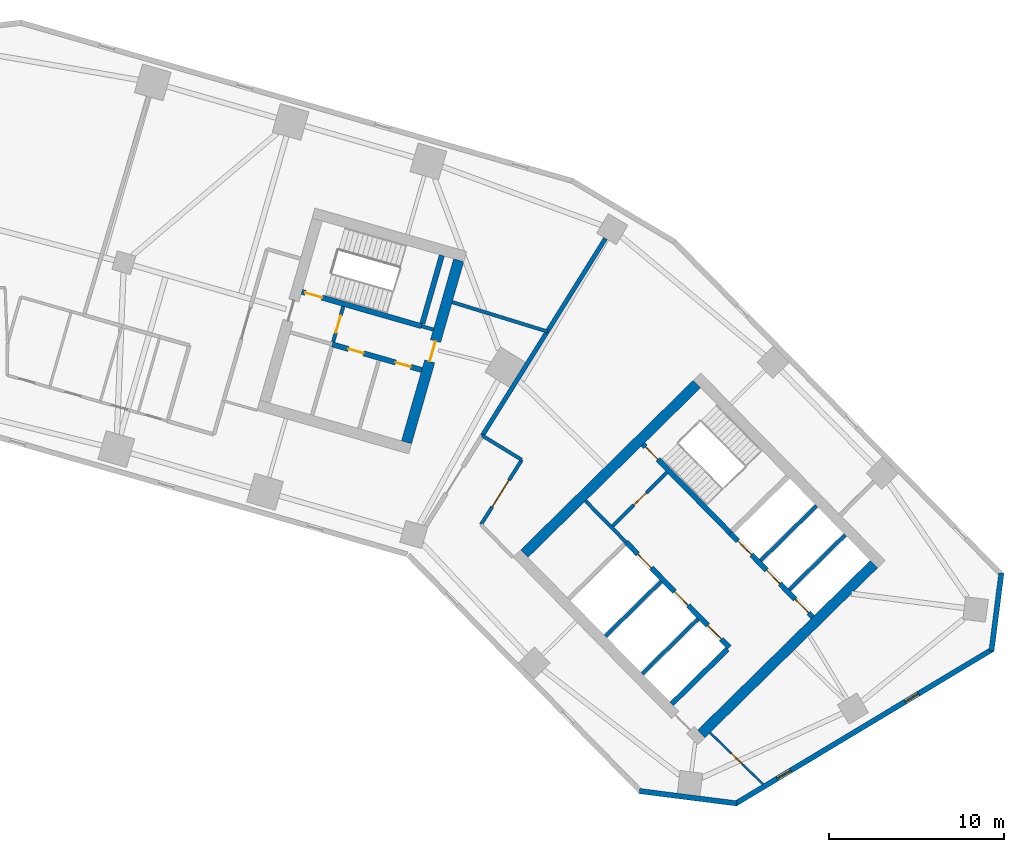
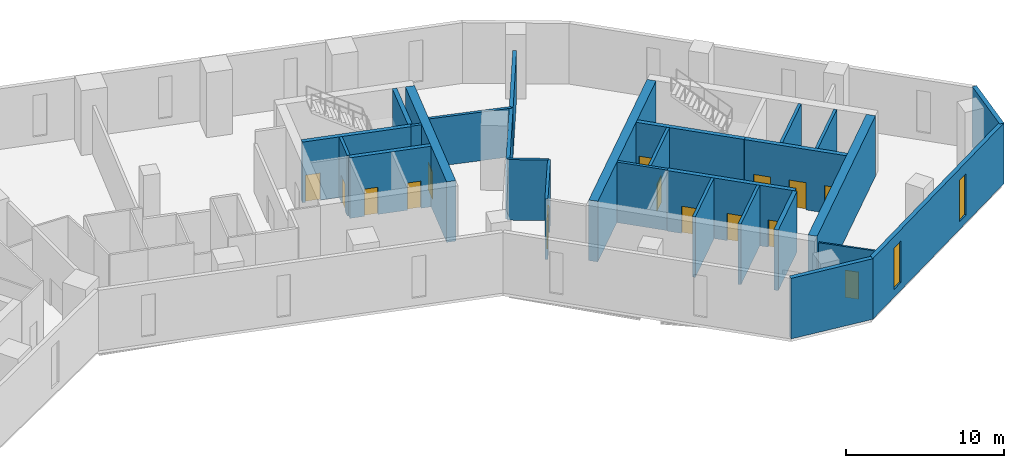
# One storey, part 6 of 10: 27 walls, 15 doors, 2 windows, 17 openings.
"""IFC4 building model written with IfcOpenShell, lengths in metres."""

from ifc_helpers import new_model, si_unit, direction, frame, frame_2d, origin, place, context, subcontext, project, spatial, rectangle, extrude, material, layer, layer_set, type_object, element, fill, save


model = new_model("IFC4")

# Units and contexts
model_context = context("Model", 3, precision=1e-05, world=origin(), true_north=direction((0.0, 1.0)))
body_context = subcontext(model_context, "Body", "Model", "MODEL_VIEW")
ifc_project = project(units=[si_unit("LENGTHUNIT", "METRE"), si_unit("AREAUNIT", "SQUARE_METRE"), si_unit("VOLUMEUNIT", "CUBIC_METRE"), si_unit("PLANEANGLEUNIT", "RADIAN"), si_unit("MASSUNIT", "GRAM", prefix="KILO")], contexts=[model_context])

# Site, building, storey
site_placement = place(None, origin())
site = spatial("IfcSite", under=ifc_project, at=site_placement, CompositionType="ELEMENT")
building_placement = place(site_placement, origin())
building = spatial("IfcBuilding", under=site, at=building_placement, Name="Binnacle Exchange Tower", CompositionType="ELEMENT")
storey_placement = place(building_placement, frame((0.0, 0.0, 41.5)))
storey = spatial("IfcBuildingStorey", under=building, at=storey_placement, Name="L08", CompositionType="ELEMENT", Elevation=41.5)

# Wall, openings, doors
ifc_material_1 = material(Name="Concrete C70/85", Category="concrete")
ifc_layer_1 = layer(ifc_material_1, 0.300048828125)
ifc_layer_set_1 = layer_set([ifc_layer_1], Name="Core wall - front 300")
wall_type_1 = type_object("IfcWallType", Name="Core wall - front 300", PredefinedType="SOLIDWALL", material=ifc_layer_set_1)
wall_1_placement = place(storey_placement, frame((37.8740234375, 41.41552734375, 0.0), z_axis=(0.0, 0.0, 1.0), x_axis=(0.700918271237, -0.71324159795, 0.0)))
wall_1 = element("IfcWall", 1, at=wall_1_placement, inside=storey, type_object=wall_type_1, Name="Core wall CRWB3", PredefinedType="SOLIDWALL", context=body_context, shape_type="SweptSolid", body=[
    extrude(rectangle(XDim=8.39990234375, YDim=0.300048828125, at=frame_2d((4.199951171875, 0.0))), origin(), (0.0, 0.0, 1.0), 4.679931640625),
])
opening_1_placement = place(wall_1_placement, frame((0.949951171875, 0.0, 0.0)))
opening_1 = element("IfcOpeningElement", 2, at=opening_1_placement, cuts=wall_1, Name="Opening LD15", PredefinedType="OPENING", context=body_context, shape_type="SweptSolid", body=[
    extrude(rectangle(XDim=1.10009765625, YDim=2.10009765625, at=frame_2d((0.550048828125, 1.050048828125))), frame((0.0, 0.159912109375, 0.0), z_axis=(0.0, -1.0, 0.0), x_axis=(1.0, 0.0, 0.0)), (0.0, 0.0, 1.0), 0.320068359375),
])
opening_2_placement = place(wall_1_placement, frame((3.949951171875, 0.0, 0.0)))
opening_2 = element("IfcOpeningElement", 3, at=opening_2_placement, cuts=wall_1, Name="Opening LD16", PredefinedType="OPENING", context=body_context, shape_type="SweptSolid", body=[
    extrude(rectangle(XDim=1.10009765625, YDim=2.10009765625, at=frame_2d((0.550048828125, 1.050048828125))), frame((0.0, 0.159912109375, 0.0), z_axis=(0.0, -1.0, 0.0), x_axis=(1.0, 0.0, 0.0)), (0.0, 0.0, 1.0), 0.320068359375),
])
opening_3_placement = place(wall_1_placement, frame((6.64990234375, 0.0, 0.0)))
opening_3 = element("IfcOpeningElement", 4, at=opening_3_placement, cuts=wall_1, Name="Opening LD4", PredefinedType="OPENING", context=body_context, shape_type="SweptSolid", body=[
    extrude(rectangle(XDim=1.10009765625, YDim=2.10009765625, at=frame_2d((0.550048828125, 1.050048828125))), frame((0.0, 0.159912109375, 0.0), z_axis=(0.0, -1.0, 0.0), x_axis=(1.0, 0.0, 0.0)), (0.0, 0.0, 1.0), 0.320068359375),
])
ifc_material_2 = material(Name="Steel door leaf", Category="steel")
door_type_1 = type_object("IfcDoorType", Name="Fire door - lift landing 1100", OperationType="NOTDEFINED", PredefinedType="DOOR", material=ifc_material_2)
door_1_placement = place(opening_1_placement, origin())
door_1 = element("IfcDoor", 5, at=door_1_placement, inside=storey, type_object=door_type_1, Name="Landing door LD15 L08", OperationType="DOUBLE_DOOR_SLIDING", OverallHeight=2.10009765625, OverallWidth=1.10009765625, PredefinedType="DOOR", context=body_context, shape_type="SweptSolid", body=[
    extrude(rectangle(XDim=1.10009765625, YDim=2.10009765625, at=frame_2d((0.550048828125, 1.050048828125))), frame((0.0, 0.02490234375, 0.0), z_axis=(0.0, -1.0, 0.0), x_axis=(1.0, 0.0, 0.0)), (0.0, 0.0, 1.0), 0.050048828125),
])
fill(opening_1, door_1)
door_2_placement = place(opening_2_placement, origin())
door_2 = element("IfcDoor", 6, at=door_2_placement, inside=storey, type_object=door_type_1, Name="Landing door LD16 L08", OperationType="DOUBLE_DOOR_SLIDING", OverallHeight=2.10009765625, OverallWidth=1.10009765625, PredefinedType="DOOR", context=body_context, shape_type="SweptSolid", body=[
    extrude(rectangle(XDim=1.10009765625, YDim=2.10009765625, at=frame_2d((0.550048828125, 1.050048828125))), frame((0.0, 0.02490234375, 0.0), z_axis=(0.0, -1.0, 0.0), x_axis=(1.0, 0.0, 0.0)), (0.0, 0.0, 1.0), 0.050048828125),
])
fill(opening_2, door_2)
door_3_placement = place(opening_3_placement, origin())
door_3 = element("IfcDoor", 7, at=door_3_placement, inside=storey, type_object=door_type_1, Name="Landing door LD4 L08", OperationType="DOUBLE_DOOR_SLIDING", OverallHeight=2.10009765625, OverallWidth=1.10009765625, PredefinedType="DOOR", context=body_context, shape_type="SweptSolid", body=[
    extrude(rectangle(XDim=1.10009765625, YDim=2.10009765625, at=frame_2d((0.550048828125, 1.050048828125))), frame((0.0, 0.02490234375, 0.0), z_axis=(0.0, -1.0, 0.0), x_axis=(1.0, 0.0, 0.0)), (0.0, 0.0, 1.0), 0.050048828125),
])
fill(opening_3, door_3)

wall_2_placement = place(storey_placement, frame((43.818603515625, 41.92919921875, 0.0), z_axis=(0.0, 0.0, 1.0), x_axis=(0.700921619155, -0.713238307862, 0.0)))
wall_2 = element("IfcWall", 8, at=wall_2_placement, inside=storey, type_object=wall_type_1, Name="Core wall CRWB5", PredefinedType="SOLIDWALL", context=body_context, shape_type="SweptSolid", body=[
    extrude(rectangle(XDim=6.69970703125, YDim=0.300048828125, at=frame_2d((3.349853515625, 0.0))), origin(), (0.0, 0.0, 1.0), 4.679931640625),
])
opening_4_placement = place(wall_2_placement, frame((0.614990234375, 0.0, 0.0)))
opening_4 = element("IfcOpeningElement", 9, at=opening_4_placement, cuts=wall_2, Name="Opening LD1", PredefinedType="OPENING", context=body_context, shape_type="SweptSolid", body=[
    extrude(rectangle(XDim=1.10009765625, YDim=2.10009765625, at=frame_2d((0.550048828125, 1.050048828125))), frame((0.0, 0.159912109375, 0.0), z_axis=(0.0, -1.0, 0.0), x_axis=(1.0, 0.0, 0.0)), (0.0, 0.0, 1.0), 0.320068359375),
])
opening_5_placement = place(wall_2_placement, frame((2.945068359375, 0.0, 0.0)))
opening_5 = element("IfcOpeningElement", 10, at=opening_5_placement, cuts=wall_2, Name="Opening LD2", PredefinedType="OPENING", context=body_context, shape_type="SweptSolid", body=[
    extrude(rectangle(XDim=1.10009765625, YDim=2.10009765625, at=frame_2d((0.550048828125, 1.050048828125))), frame((0.0, 0.159912109375, 0.0), z_axis=(0.0, -1.0, 0.0), x_axis=(1.0, 0.0, 0.0)), (0.0, 0.0, 1.0), 0.320068359375),
])
opening_6_placement = place(wall_2_placement, frame((5.280029296875, 0.0, 0.0)))
opening_6 = element("IfcOpeningElement", 11, at=opening_6_placement, cuts=wall_2, Name="Opening LD3", PredefinedType="OPENING", context=body_context, shape_type="SweptSolid", body=[
    extrude(rectangle(XDim=1.10009765625, YDim=2.10009765625, at=frame_2d((0.550048828125, 1.050048828125))), frame((0.0, 0.159912109375, 0.0), z_axis=(0.0, -1.0, 0.0), x_axis=(1.0, 0.0, 0.0)), (0.0, 0.0, 1.0), 0.320068359375),
])
door_4_placement = place(opening_4_placement, origin())
door_4 = element("IfcDoor", 12, at=door_4_placement, inside=storey, type_object=door_type_1, Name="Landing door LD1 L08", OperationType="DOUBLE_DOOR_SLIDING", OverallHeight=2.10009765625, OverallWidth=1.10009765625, PredefinedType="DOOR", context=body_context, shape_type="SweptSolid", body=[
    extrude(rectangle(XDim=1.10009765625, YDim=2.10009765625, at=frame_2d((0.550048828125, 1.050048828125))), frame((0.0, 0.02490234375, 0.0), z_axis=(0.0, -1.0, 0.0), x_axis=(1.0, 0.0, 0.0)), (0.0, 0.0, 1.0), 0.050048828125),
])
fill(opening_4, door_4)
door_5_placement = place(opening_5_placement, origin())
door_5 = element("IfcDoor", 13, at=door_5_placement, inside=storey, type_object=door_type_1, Name="Landing door LD2 L08", OperationType="DOUBLE_DOOR_SLIDING", OverallHeight=2.10009765625, OverallWidth=1.10009765625, PredefinedType="DOOR", context=body_context, shape_type="SweptSolid", body=[
    extrude(rectangle(XDim=1.10009765625, YDim=2.10009765625, at=frame_2d((0.550048828125, 1.050048828125))), frame((0.0, 0.02490234375, 0.0), z_axis=(0.0, -1.0, 0.0), x_axis=(1.0, 0.0, 0.0)), (0.0, 0.0, 1.0), 0.050048828125),
])
fill(opening_5, door_5)
door_6_placement = place(opening_6_placement, origin())
door_6 = element("IfcDoor", 14, at=door_6_placement, inside=storey, type_object=door_type_1, Name="Landing door LD3 L08", OperationType="DOUBLE_DOOR_SLIDING", OverallHeight=2.10009765625, OverallWidth=1.10009765625, PredefinedType="DOOR", context=body_context, shape_type="SweptSolid", body=[
    extrude(rectangle(XDim=1.10009765625, YDim=2.10009765625, at=frame_2d((0.550048828125, 1.050048828125))), frame((0.0, 0.02490234375, 0.0), z_axis=(0.0, -1.0, 0.0), x_axis=(1.0, 0.0, 0.0)), (0.0, 0.0, 1.0), 0.050048828125),
])
fill(opening_6, door_6)

# Wall
wall_3_placement = place(storey_placement, frame((40.480712890625, 32.199951171875, 0.0), z_axis=(0.0, 0.0, 1.0), x_axis=(0.713251741427, 0.700907949271, 0.0)))
element("IfcWall", 15, at=wall_3_placement, inside=storey, type_object=wall_type_1, Name="Core wall CRWB14", PredefinedType="SOLIDWALL", context=body_context, shape_type="SweptSolid", body=[
    extrude(rectangle(XDim=4.4501953125, YDim=0.300048828125, at=frame_2d((2.22509765625, 0.0))), origin(), (0.0, 0.0, 1.0), 4.679931640625),
])

# Wall, openings, doors
wall_4_placement = place(storey_placement, frame((21.130859375, 52.6923828125, 0.0), z_axis=(0.0, 0.0, 1.0), x_axis=(0.961271492568, -0.275603188616, 0.0)))
wall_4 = element("IfcWall", 16, at=wall_4_placement, inside=storey, type_object=wall_type_1, Name="Core wall CRWD3", PredefinedType="SOLIDWALL", context=body_context, shape_type="SweptSolid", body=[
    extrude(rectangle(XDim=5.300048828125, YDim=0.300048828125, at=frame_2d((2.64990234375, 0.0))), origin(), (0.0, 0.0, 1.0), 4.679931640625),
])
opening_7_placement = place(wall_4_placement, frame((0.949951171875, 0.0, 0.0)))
opening_7 = element("IfcOpeningElement", 17, at=opening_7_placement, cuts=wall_4, Name="Opening DD10", PredefinedType="OPENING", context=body_context, shape_type="SweptSolid", body=[
    extrude(rectangle(XDim=0.89990234375, YDim=2.10009765625, at=frame_2d((0.449951171875, 1.050048828125))), frame((0.0, 0.159912109375, 0.0), z_axis=(0.0, -1.0, 0.0), x_axis=(1.0, 0.0, 0.0)), (0.0, 0.0, 1.0), 0.320068359375),
])
opening_8_placement = place(wall_4_placement, frame((3.75, 0.0, 0.0)))
opening_8 = element("IfcOpeningElement", 18, at=opening_8_placement, cuts=wall_4, Name="Opening DD11", PredefinedType="OPENING", context=body_context, shape_type="SweptSolid", body=[
    extrude(rectangle(XDim=0.89990234375, YDim=2.10009765625, at=frame_2d((0.449951171875, 1.050048828125))), frame((0.0, 0.159912109375, 0.0), z_axis=(0.0, -1.0, 0.0), x_axis=(1.0, 0.0, 0.0)), (0.0, 0.0, 1.0), 0.320068359375),
])
door_type_2 = type_object("IfcDoorType", Name="Fire door 900", OperationType="NOTDEFINED", PredefinedType="DOOR", material=ifc_material_2)
door_7_placement = place(opening_7_placement, frame((0.89990234375, 0.0, 0.0), z_axis=(0.0, 0.0, 1.0), x_axis=(-1.0, 0.0, 0.0)))
door_7 = element("IfcDoor", 19, at=door_7_placement, inside=storey, type_object=door_type_2, Name="Core room door FIBRE ENTRY ROOM", OperationType="SINGLE_SWING_RIGHT", OverallHeight=2.10009765625, OverallWidth=0.89990234375, PredefinedType="DOOR", context=body_context, shape_type="SweptSolid", body=[
    extrude(rectangle(XDim=0.89990234375, YDim=2.10009765625, at=frame_2d((0.449951171875, 1.050048828125))), frame((0.0, 0.02490234375, 0.0), z_axis=(0.0, -1.0, 0.0), x_axis=(1.0, 0.0, 0.0)), (0.0, 0.0, 1.0), 0.050048828125),
])
fill(opening_7, door_7)
door_8_placement = place(opening_8_placement, frame((0.89990234375, 0.0, 0.0), z_axis=(0.0, 0.0, 1.0), x_axis=(-1.0, 0.0, 0.0)))
door_8 = element("IfcDoor", 20, at=door_8_placement, inside=storey, type_object=door_type_2, Name="Core room door ELECTRICAL ROOM", OperationType="SINGLE_SWING_LEFT", OverallHeight=2.10009765625, OverallWidth=0.89990234375, PredefinedType="DOOR", context=body_context, shape_type="SweptSolid", body=[
    extrude(rectangle(XDim=0.89990234375, YDim=2.10009765625, at=frame_2d((0.449951171875, 1.050048828125))), frame((0.0, 0.02490234375, 0.0), z_axis=(0.0, -1.0, 0.0), x_axis=(1.0, 0.0, 0.0)), (0.0, 0.0, 1.0), 0.050048828125),
])
fill(opening_8, door_8)

# Walls
ifc_layer_2 = layer(ifc_material_1, 0.60009765625)
ifc_layer_set_2 = layer_set([ifc_layer_2], Name="Core wall - outer 600")
wall_type_2 = type_object("IfcWallType", Name="Core wall - outer 600", PredefinedType="SOLIDWALL", material=ifc_layer_set_2)
for number, where, z_axis, x_axis, name in (
    (21, (32.06982421875, 40.759033203125, 0.0), (0.0, 0.0, 1.0), (0.713245344712, 0.70091445858, 0.0), "Core wall CRWB7"),
    (22, (42.1630859375, 30.48828125, 0.0), (0.0, 0.0, 1.0), (0.713245344712, 0.70091445858, 0.0), "Core wall CRWB16"),
):
    element("IfcWall", number, at=place(storey_placement, frame(where, z_axis=z_axis, x_axis=x_axis)), inside=storey, type_object=wall_type_2, Name=name, PredefinedType="SOLIDWALL", context=body_context, shape_type="SweptSolid", body=[
        extrude(rectangle(XDim=13.800048828125, YDim=0.60009765625, at=frame_2d((6.89990234375, 0.0))), origin(), (0.0, 0.0, 1.0), 4.679931640625),
    ])

# Wall, opening, door
wall_5_placement = place(storey_placement, frame((25.356201171875, 47.111572265625, 0.0), z_axis=(0.0, 0.0, 1.0), x_axis=(0.275631631629, 0.961263337304, 0.0)))
wall_5 = element("IfcWall", 23, at=wall_5_placement, inside=storey, type_object=wall_type_2, Name="Core wall CRWD12", PredefinedType="SOLIDWALL", context=body_context, shape_type="SweptSolid", body=[
    extrude(rectangle(XDim=10.800048828125, YDim=0.60009765625, at=frame_2d((5.39990234375, 0.0))), origin(), (0.0, 0.0, 1.0), 4.679931640625),
])
opening_9_placement = place(wall_5_placement, frame((4.800048828125, 0.0, 0.0)))
opening_9 = element("IfcOpeningElement", 24, at=opening_9_placement, cuts=wall_5, Name="Opening DD6", PredefinedType="OPENING", context=body_context, shape_type="SweptSolid", body=[
    extrude(rectangle(XDim=1.199951171875, YDim=2.10009765625, at=frame_2d((0.60009765625, 1.050048828125))), frame((0.0, 0.31005859375, 0.0), z_axis=(0.0, -1.0, 0.0), x_axis=(1.0, 0.0, 0.0)), (0.0, 0.0, 1.0), 0.6201171875),
])
door_type_3 = type_object("IfcDoorType", Name="Fire door 1200", OperationType="NOTDEFINED", PredefinedType="DOOR", material=ifc_material_2)
door_9_placement = place(opening_9_placement, frame((1.199951171875, 0.0, 0.0), z_axis=(0.0, 0.0, 1.0), x_axis=(-1.0, 0.0, 0.0)))
door_9 = element("IfcDoor", 25, at=door_9_placement, inside=storey, type_object=door_type_3, Name="Core passage exit door", OperationType="SINGLE_SWING_LEFT", OverallHeight=2.10009765625, OverallWidth=1.199951171875, PredefinedType="DOOR", context=body_context, shape_type="SweptSolid", body=[
    extrude(rectangle(XDim=1.199951171875, YDim=2.10009765625, at=frame_2d((0.60009765625, 1.050048828125))), frame((0.0, 0.02490234375, 0.0), z_axis=(0.0, -1.0, 0.0), x_axis=(1.0, 0.0, 0.0)), (0.0, 0.0, 1.0), 0.050048828125),
])
fill(opening_9, door_9)

ifc_layer_3 = layer(ifc_material_1, 0.300048828125)
ifc_layer_set_3 = layer_set([ifc_layer_3], Name="Core wall - stair 300")
wall_type_3 = type_object("IfcWallType", Name="Core wall - stair 300", PredefinedType="SOLIDWALL", material=ifc_layer_set_3)
wall_6_placement = place(storey_placement, frame((38.842041015625, 46.993408203125, 0.0), z_axis=(0.0, 0.0, 1.0), x_axis=(0.700907701701, -0.713251984713, 0.0)))
wall_6 = element("IfcWall", 26, at=wall_6_placement, inside=storey, type_object=wall_type_3, Name="Core wall CRWB4", PredefinedType="SOLIDWALL", context=body_context, shape_type="SweptSolid", body=[
    extrude(rectangle(XDim=7.10009765625, YDim=0.300048828125, at=frame_2d((3.550048828125, 0.0))), origin(), (0.0, 0.0, 1.0), 4.679931640625),
])
opening_10_placement = place(wall_6_placement, frame((0.199951171875, 0.0, 0.0)))
opening_10 = element("IfcOpeningElement", 27, at=opening_10_placement, cuts=wall_6, Name="Opening DB1", PredefinedType="OPENING", context=body_context, shape_type="SweptSolid", body=[
    extrude(rectangle(XDim=1.0, YDim=2.10009765625, at=frame_2d((0.5, 1.050048828125))), frame((0.0, 0.159912109375, 0.0), z_axis=(0.0, -1.0, 0.0), x_axis=(1.0, 0.0, 0.0)), (0.0, 0.0, 1.0), 0.320068359375),
])
door_type_4 = type_object("IfcDoorType", Name="Fire door 1000", OperationType="NOTDEFINED", PredefinedType="DOOR", material=ifc_material_2)
door_10_placement = place(opening_10_placement, origin())
door_10 = element("IfcDoor", 28, at=door_10_placement, inside=storey, type_object=door_type_4, Name="Stair door ST-B1", OperationType="SINGLE_SWING_LEFT", OverallHeight=2.10009765625, OverallWidth=1.0, PredefinedType="DOOR", context=body_context, shape_type="SweptSolid", body=[
    extrude(rectangle(XDim=1.0, YDim=2.10009765625, at=frame_2d((0.5, 1.050048828125))), frame((0.0, 0.02490234375, 0.0), z_axis=(0.0, -1.0, 0.0), x_axis=(1.0, 0.0, 0.0)), (0.0, 0.0, 1.0), 0.050048828125),
])
fill(opening_10, door_10)

wall_7_placement = place(storey_placement, frame((19.38916015625, 55.688720703125, 0.0), z_axis=(0.0, 0.0, 1.0), x_axis=(0.961261397636, -0.275638396117, 0.0)))
wall_7 = element("IfcWall", 29, at=wall_7_placement, inside=storey, type_object=wall_type_3, Name="Core wall CRWD4", PredefinedType="SOLIDWALL", context=body_context, shape_type="SweptSolid", body=[
    extrude(rectangle(XDim=7.10009765625, YDim=0.300048828125, at=frame_2d((3.550048828125, 0.0))), origin(), (0.0, 0.0, 1.0), 4.679931640625),
])
opening_11_placement = place(wall_7_placement, frame((0.199951171875, 0.0, 0.0)))
opening_11 = element("IfcOpeningElement", 30, at=opening_11_placement, cuts=wall_7, Name="Opening DD1", PredefinedType="OPENING", context=body_context, shape_type="SweptSolid", body=[
    extrude(rectangle(XDim=1.0, YDim=2.10009765625, at=frame_2d((0.5, 1.050048828125))), frame((0.0, 0.159912109375, 0.0), z_axis=(0.0, -1.0, 0.0), x_axis=(1.0, 0.0, 0.0)), (0.0, 0.0, 1.0), 0.320068359375),
])
door_11_placement = place(opening_11_placement, origin())
door_11 = element("IfcDoor", 31, at=door_11_placement, inside=storey, type_object=door_type_4, Name="Stair door ST-D1", OperationType="SINGLE_SWING_LEFT", OverallHeight=2.10009765625, OverallWidth=1.0, PredefinedType="DOOR", context=body_context, shape_type="SweptSolid", body=[
    extrude(rectangle(XDim=1.0, YDim=2.10009765625, at=frame_2d((0.5, 1.050048828125))), frame((0.0, 0.02490234375, 0.0), z_axis=(0.0, -1.0, 0.0), x_axis=(1.0, 0.0, 0.0)), (0.0, 0.0, 1.0), 0.050048828125),
])
fill(opening_11, door_11)

# Walls
wall_8_placement = place(storey_placement, frame((26.255615234375, 53.875732421875, 0.0), z_axis=(0.0, 0.0, 1.0), x_axis=(0.275612739511, 0.961268754209, 0.0)))
element("IfcWall", 32, at=wall_8_placement, inside=storey, type_object=wall_type_3, Name="Core wall CRWD11", PredefinedType="SOLIDWALL", context=body_context, shape_type="SweptSolid", body=[
    extrude(rectangle(XDim=4.0498046875, YDim=0.300048828125, at=frame_2d((2.02490234375, 0.0))), origin(), (0.0, 0.0, 1.0), 4.679931640625),
])
ifc_material_3 = material(Name="Bronze aluminium cladding", Category="aluminium")
ifc_layer_4 = layer(ifc_material_3, 0.300048828125)
ifc_layer_set_4 = layer_set([ifc_layer_4], Name="External wall - spandrel 300")
wall_type_4 = type_object("IfcWallType", Name="External wall - spandrel 300", PredefinedType="STANDARD", material=ifc_layer_set_4)
wall_9_placement = place(storey_placement, frame((44.19580078125, 26.517822265625, 0.0), z_axis=(0.0, 0.0, 1.0), x_axis=(-0.992001881269, 0.126223086474, 0.0)))
element("IfcWall", 33, at=wall_9_placement, inside=storey, type_object=wall_type_4, Name="External wall EW-F10 L08", PredefinedType="STANDARD", context=body_context, shape_type="SweptSolid", body=[
    extrude(rectangle(XDim=5.6015625, YDim=0.300048828125, at=frame_2d((2.80078125, 0.0))), origin(), (0.0, 0.0, 1.0), 4.679931640625),
])

# Wall, openings, windows
wall_10_placement = place(storey_placement, frame((58.7783203125, 35.317626953125, 0.0), z_axis=(0.0, 0.0, 1.0), x_axis=(-0.857168206138, -0.515036568009, 0.0)))
wall_10 = element("IfcWall", 34, at=wall_10_placement, inside=storey, type_object=wall_type_4, Name="External wall EW-F11 L08", PredefinedType="STANDARD", context=body_context, shape_type="SweptSolid", body=[
    extrude(rectangle(XDim=17.124755859375, YDim=0.300048828125, at=frame_2d((8.5625, 0.0))), origin(), (0.0, 0.0, 1.0), 4.679931640625),
])
opening_12_placement = place(wall_10_placement, frame((13.435302734375, 0.0, 0.60009765625)))
opening_12 = element("IfcOpeningElement", 35, at=opening_12_placement, cuts=wall_10, Name="Opening WS1", PredefinedType="OPENING", context=body_context, shape_type="SweptSolid", body=[
    extrude(rectangle(XDim=0.89990234375, YDim=3.199951171875, at=frame_2d((0.449951171875, 1.60009765625))), frame((0.0, 0.159912109375, 0.0), z_axis=(0.0, -1.0, 0.0), x_axis=(1.0, 0.0, 0.0)), (0.0, 0.0, 1.0), 0.320068359375),
])
opening_13_placement = place(wall_10_placement, frame((4.935302734375, 0.0, 0.60009765625)))
opening_13 = element("IfcOpeningElement", 36, at=opening_13_placement, cuts=wall_10, Name="Opening WS1", PredefinedType="OPENING", context=body_context, shape_type="SweptSolid", body=[
    extrude(rectangle(XDim=0.89990234375, YDim=3.199951171875, at=frame_2d((0.449951171875, 1.60009765625))), frame((0.0, 0.159912109375, 0.0), z_axis=(0.0, -1.0, 0.0), x_axis=(1.0, 0.0, 0.0)), (0.0, 0.0, 1.0), 0.320068359375),
])
ifc_material_4 = material(Name="Bronze anodised aluminium frame", Category="aluminium")
window_type = type_object("IfcWindowType", Name="WS1 WINDOW 900x3200", PartitioningType="SINGLE_PANEL", PredefinedType="WINDOW", material=ifc_material_4)
window_1_placement = place(opening_12_placement, origin())
window_1 = element("IfcWindow", 37, at=window_1_placement, inside=storey, type_object=window_type, Name="Window WS1 L08", OverallHeight=3.199951171875, OverallWidth=0.89990234375, PartitioningType="SINGLE_PANEL", PredefinedType="WINDOW", context=body_context, shape_type="SweptSolid", body=[
    extrude(rectangle(XDim=0.89990234375, YDim=3.199951171875, at=frame_2d((0.449951171875, 1.60009765625))), frame((0.0, 0.030029296875, 0.0), z_axis=(0.0, -1.0, 0.0), x_axis=(1.0, 0.0, 0.0)), (0.0, 0.0, 1.0), 0.06005859375),
])
fill(opening_12, window_1)
window_2_placement = place(opening_13_placement, origin())
window_2 = element("IfcWindow", 38, at=window_2_placement, inside=storey, type_object=window_type, Name="Window WS1 L08", OverallHeight=3.199951171875, OverallWidth=0.89990234375, PartitioningType="SINGLE_PANEL", PredefinedType="WINDOW", context=body_context, shape_type="SweptSolid", body=[
    extrude(rectangle(XDim=0.89990234375, YDim=3.199951171875, at=frame_2d((0.449951171875, 1.60009765625))), frame((0.0, 0.030029296875, 0.0), z_axis=(0.0, -1.0, 0.0), x_axis=(1.0, 0.0, 0.0)), (0.0, 0.0, 1.0), 0.06005859375),
])
fill(opening_13, window_2)

# Walls
wall_11_placement = place(storey_placement, frame((59.27197265625, 39.6513671875, 0.0), z_axis=(0.0, 0.0, 1.0), x_axis=(-0.126181137886, -0.992007217938, 0.0)))
element("IfcWall", 39, at=wall_11_placement, inside=storey, type_object=wall_type_4, Name="External wall EW-F12 L08", PredefinedType="STANDARD", context=body_context, shape_type="SweptSolid", body=[
    extrude(rectangle(XDim=4.479248046875, YDim=0.300048828125, at=frame_2d((2.23974609375, 0.0))), origin(), (0.0, 0.0, 1.0), 4.679931640625),
])
ifc_material_5 = material(Name="Masonry block wall", Category="masonry")
ifc_layer_5 = layer(ifc_material_5, 0.199951171875)
ifc_layer_set_5 = layer_set([ifc_layer_5], Name="Fire wall - block 200")
wall_type_5 = type_object("IfcWallType", Name="Fire wall - block 200", PredefinedType="PARTITIONING", material=ifc_layer_set_5)
wall_12_placement = place(storey_placement, frame((27.9599609375, 55.10302734375, 0.0), z_axis=(0.0, 0.0, 1.0), x_axis=(0.955442775069, -0.29517639399, 0.0)))
element("IfcWall", 40, at=wall_12_placement, inside=storey, type_object=wall_type_5, Name="Partition W37", PredefinedType="PARTITIONING", context=body_context, shape_type="SweptSolid", body=[
    extrude(rectangle(XDim=5.677978515625, YDim=0.199951171875, at=frame_2d((2.8388671875, 0.0))), origin(), (0.0, 0.0, 1.0), 3.748046875),
])

# Wall, opening, door
wall_13_placement = place(storey_placement, frame((29.60009765625, 42.416015625, 0.0), z_axis=(0.0, 0.0, 1.0), x_axis=(0.533582711531, 0.84574788794, 0.0)))
wall_13 = element("IfcWall", 41, at=wall_13_placement, inside=storey, type_object=wall_type_5, Name="Partition W39", PredefinedType="PARTITIONING", context=body_context, shape_type="SweptSolid", body=[
    extrude(rectangle(XDim=4.366455078125, YDim=0.199951171875, at=frame_2d((2.18310546875, 0.0))), origin(), (0.0, 0.0, 1.0), 4.679931640625),
])
opening_14_placement = place(wall_13_placement, frame((1.199951171875, 0.0, 0.0)))
opening_14 = element("IfcOpeningElement", 42, at=opening_14_placement, cuts=wall_13, Name="Opening DL08-11", PredefinedType="OPENING", context=body_context, shape_type="SweptSolid", body=[
    extrude(rectangle(XDim=1.800048828125, YDim=2.10009765625, at=frame_2d((0.89990234375, 1.050048828125))), frame((0.0, 0.10986328125, 0.0), z_axis=(0.0, -1.0, 0.0), x_axis=(1.0, 0.0, 0.0)), (0.0, 0.0, 1.0), 0.219970703125),
])
door_type_5 = type_object("IfcDoorType", Name="Fire door 1800", OperationType="NOTDEFINED", PredefinedType="DOOR", material=ifc_material_2)
door_12_placement = place(opening_14_placement, frame((1.800048828125, 0.0, 0.0), z_axis=(0.0, 0.0, 1.0), x_axis=(-1.0, 0.0, 0.0)))
door_12 = element("IfcDoor", 43, at=door_12_placement, inside=storey, type_object=door_type_5, Name="Door DL08-11", OperationType="DOUBLE_DOOR_SINGLE_SWING", OverallHeight=2.10009765625, OverallWidth=1.800048828125, PredefinedType="DOOR", context=body_context, shape_type="SweptSolid", body=[
    extrude(rectangle(XDim=1.800048828125, YDim=2.10009765625, at=frame_2d((0.89990234375, 1.050048828125))), frame((0.0, 0.02490234375, 0.0), z_axis=(0.0, -1.0, 0.0), x_axis=(1.0, 0.0, 0.0)), (0.0, 0.0, 1.0), 0.050048828125),
])
fill(opening_14, door_12)

# Walls
wall_14_placement = place(storey_placement, frame((29.675048828125, 47.490966796875, 0.0), z_axis=(0.0, 0.0, 1.0), x_axis=(0.852591965232, -0.522577210392, 0.0)))
element("IfcWall", 44, at=wall_14_placement, inside=storey, type_object=wall_type_5, Name="Partition W40", PredefinedType="PARTITIONING", context=body_context, shape_type="SweptSolid", body=[
    extrude(rectangle(XDim=2.644775390625, YDim=0.199951171875, at=frame_2d((1.322265625, 0.0))), origin(), (0.0, 0.0, 1.0), 4.679931640625),
])
ifc_material_6 = material(Name="Concrete fire wall C30/37", Category="concrete")
ifc_layer_6 = layer(ifc_material_6, 0.25)
ifc_layer_set_6 = layer_set([ifc_layer_6], Name="Fire wall - compartment 250")
wall_type_6 = type_object("IfcWallType", Name="Fire wall - compartment 250", PredefinedType="PARTITIONING", material=ifc_layer_set_6)
wall_15_placement = place(storey_placement, frame((29.675048828125, 47.490966796875, 0.0), z_axis=(0.0, 0.0, 1.0), x_axis=(0.529992669945, 0.848002222759, 0.0)))
element("IfcWall", 45, at=wall_15_placement, inside=storey, type_object=wall_type_6, Name="Fire Wall W41", PredefinedType="PARTITIONING", context=body_context, shape_type="SweptSolid", body=[
    extrude(rectangle(XDim=7.0, YDim=0.25, at=frame_2d((3.5, 0.0))), origin(), (0.0, 0.0, 1.0), 3.741943359375),
])
wall_16_placement = place(storey_placement, frame((33.385009765625, 53.427001953125, 0.0), z_axis=(0.0, 0.0, 1.0), x_axis=(0.529897235032, 0.848061861131, 0.0)))
element("IfcWall", 46, at=wall_16_placement, inside=storey, type_object=wall_type_6, Name="Fire Wall W42", PredefinedType="PARTITIONING", context=body_context, shape_type="SweptSolid", body=[
    extrude(rectangle(XDim=6.257568359375, YDim=0.25, at=frame_2d((3.12890625, 0.0))), origin(), (0.0, 0.0, 1.0), 3.741943359375),
])

# Wall, opening, door
ifc_layer_7 = layer(ifc_material_5, 0.199951171875)
ifc_layer_set_7 = layer_set([ifc_layer_7], Name="Fire wall - vestibule 200")
wall_type_7 = type_object("IfcWallType", Name="Fire wall - vestibule 200", PredefinedType="PARTITIONING", material=ifc_layer_set_7)
wall_17_placement = place(storey_placement, frame((37.104248046875, 42.341552734375, 0.0), z_axis=(0.0, 0.0, 1.0), x_axis=(0.713281298468, 0.700877870428, 0.0)))
wall_17 = element("IfcWall", 47, at=wall_17_placement, inside=storey, type_object=wall_type_7, Name="Core wall CRWB8", PredefinedType="PARTITIONING", context=body_context, shape_type="SweptSolid", body=[
    extrude(rectangle(XDim=4.35009765625, YDim=0.199951171875, at=frame_2d((2.175048828125, 0.0))), origin(), (0.0, 0.0, 1.0), 4.679931640625),
])
opening_15_placement = place(wall_17_placement, frame((1.699951171875, 0.0, 0.0)))
opening_15 = element("IfcOpeningElement", 48, at=opening_15_placement, cuts=wall_17, Name="Opening DB3", PredefinedType="OPENING", context=body_context, shape_type="SweptSolid", body=[
    extrude(rectangle(XDim=1.0, YDim=2.10009765625, at=frame_2d((0.5, 1.050048828125))), frame((0.0, 0.10986328125, 0.0), z_axis=(0.0, -1.0, 0.0), x_axis=(1.0, 0.0, 0.0)), (0.0, 0.0, 1.0), 0.219970703125),
])
door_13_placement = place(opening_15_placement, origin())
door_13 = element("IfcDoor", 49, at=door_13_placement, inside=storey, type_object=door_type_4, Name="Vestibule door VEST-W", OperationType="SINGLE_SWING_RIGHT", OverallHeight=2.10009765625, OverallWidth=1.0, PredefinedType="DOOR", context=body_context, shape_type="SweptSolid", body=[
    extrude(rectangle(XDim=1.0, YDim=2.10009765625, at=frame_2d((0.5, 1.050048828125))), frame((0.0, 0.02490234375, 0.0), z_axis=(0.0, -1.0, 0.0), x_axis=(1.0, 0.0, 0.0)), (0.0, 0.0, 1.0), 0.050048828125),
])
fill(opening_15, door_13)

wall_18_placement = place(storey_placement, frame((21.172119140625, 52.836669921875, 0.0), z_axis=(0.0, 0.0, 1.0), x_axis=(0.275657676022, 0.961255868981, 0.0)))
wall_18 = element("IfcWall", 50, at=wall_18_placement, inside=storey, type_object=wall_type_7, Name="Core wall CRWD9", PredefinedType="PARTITIONING", context=body_context, shape_type="SweptSolid", body=[
    extrude(rectangle(XDim=2.099853515625, YDim=0.199951171875, at=frame_2d((1.0498046875, 0.0))), origin(), (0.0, 0.0, 1.0), 4.679931640625),
])
opening_16_placement = place(wall_18_placement, frame((0.550048828125, 0.0, 0.0)))
opening_16 = element("IfcOpeningElement", 51, at=opening_16_placement, cuts=wall_18, Name="Opening DD3", PredefinedType="OPENING", context=body_context, shape_type="SweptSolid", body=[
    extrude(rectangle(XDim=1.0, YDim=2.10009765625, at=frame_2d((0.5, 1.050048828125))), frame((0.0, 0.10986328125, 0.0), z_axis=(0.0, -1.0, 0.0), x_axis=(1.0, 0.0, 0.0)), (0.0, 0.0, 1.0), 0.219970703125),
])
door_14_placement = place(opening_16_placement, origin())
door_14 = element("IfcDoor", 52, at=door_14_placement, inside=storey, type_object=door_type_4, Name="Vestibule door VEST-W", OperationType="SINGLE_SWING_RIGHT", OverallHeight=2.10009765625, OverallWidth=1.0, PredefinedType="DOOR", context=body_context, shape_type="SweptSolid", body=[
    extrude(rectangle(XDim=1.0, YDim=2.10009765625, at=frame_2d((0.5, 1.050048828125))), frame((0.0, 0.02490234375, 0.0), z_axis=(0.0, -1.0, 0.0), x_axis=(1.0, 0.0, 0.0)), (0.0, 0.0, 1.0), 0.050048828125),
])
fill(opening_16, door_14)

ifc_material_7 = material(Name="Gypsum partition")
ifc_layer_8 = layer(ifc_material_7, 0.125)
ifc_layer_set_8 = layer_set([ifc_layer_8], Name="Partition 125")
wall_type_8 = type_object("IfcWallType", Name="Partition 125", PredefinedType="PARTITIONING", material=ifc_layer_set_8)
wall_19_placement = place(storey_placement, frame((42.658935546875, 30.554931640625, 0.0), z_axis=(0.0, 0.0, 1.0), x_axis=(0.716925671772, -0.697149611743, 0.0)))
wall_19 = element("IfcWall", 53, at=wall_19_placement, inside=storey, type_object=wall_type_8, Name="Partition W43", PredefinedType="PARTITIONING", context=body_context, shape_type="SweptSolid", body=[
    extrude(rectangle(XDim=4.209716796875, YDim=0.125, at=frame_2d((2.10498046875, 0.0))), origin(), (0.0, 0.0, 1.0), 3.951904296875),
])
opening_17_placement = place(wall_19_placement, frame((1.699951171875, 0.0, 0.0)))
opening_17 = element("IfcOpeningElement", 54, at=opening_17_placement, cuts=wall_19, Name="Opening DL08-12", PredefinedType="OPENING", context=body_context, shape_type="SweptSolid", body=[
    extrude(rectangle(XDim=0.89990234375, YDim=2.10009765625, at=frame_2d((0.449951171875, 1.050048828125))), frame((0.0, 0.072509765625, 0.0), z_axis=(0.0, -1.0, 0.0), x_axis=(1.0, 0.0, 0.0)), (0.0, 0.0, 1.0), 0.14501953125),
])
ifc_material_8 = material(Name="Timber door leaf", Category="wood")
door_type_6 = type_object("IfcDoorType", Name="Door 900", OperationType="NOTDEFINED", PredefinedType="DOOR", material=ifc_material_8)
door_15_placement = place(opening_17_placement, origin())
door_15 = element("IfcDoor", 55, at=door_15_placement, inside=storey, type_object=door_type_6, Name="Door DL08-12", OperationType="SINGLE_SWING_RIGHT", OverallHeight=2.10009765625, OverallWidth=0.89990234375, PredefinedType="DOOR", context=body_context, shape_type="SweptSolid", body=[
    extrude(rectangle(XDim=0.89990234375, YDim=2.10009765625, at=frame_2d((0.449951171875, 1.050048828125))), frame((0.0, 0.02490234375, 0.0), z_axis=(0.0, -1.0, 0.0), x_axis=(1.0, 0.0, 0.0)), (0.0, 0.0, 1.0), 0.050048828125),
])
fill(opening_17, door_15)

# Walls
ifc_layer_9 = layer(ifc_material_5, 0.199951171875)
ifc_layer_set_9 = layer_set([ifc_layer_9], Name="Riser wall 200")
wall_type_9 = type_object("IfcWallType", Name="Riser wall 200", PredefinedType="SOLIDWALL", material=ifc_layer_set_9)
wall_20_placement = place(storey_placement, frame((35.56103515625, 43.769287109375, 0.0), z_axis=(0.0, 0.0, 1.0), x_axis=(0.70090232736, -0.713257266, 0.0)))
element("IfcWall", 56, at=wall_20_placement, inside=storey, type_object=wall_type_9, Name="Core wall CRWB2", PredefinedType="SOLIDWALL", context=body_context, shape_type="SweptSolid", body=[
    extrude(rectangle(XDim=3.300048828125, YDim=0.199951171875, at=frame_2d((1.64990234375, 0.0))), origin(), (0.0, 0.0, 1.0), 4.679931640625),
])
wall_21_placement = place(storey_placement, frame((26.214111328125, 53.731689453125, 0.0), z_axis=(0.0, 0.0, 1.0), x_axis=(0.96122076476, -0.27578005982, 0.0)))
element("IfcWall", 57, at=wall_21_placement, inside=storey, type_object=wall_type_9, Name="Core wall CRWD5", PredefinedType="SOLIDWALL", context=body_context, shape_type="SweptSolid", body=[
    extrude(rectangle(XDim=0.7001953125, YDim=0.199951171875, at=frame_2d((0.35009765625, 0.0))), origin(), (0.0, 0.0, 1.0), 4.679931640625),
])
ifc_layer_10 = layer(ifc_material_5, 0.199951171875)
ifc_layer_set_10 = layer_set([ifc_layer_10], Name="Shaft wall 200")
wall_type_10 = type_object("IfcWallType", Name="Shaft wall 200", PredefinedType="SOLIDWALL", material=ifc_layer_set_10)
for number, where, z_axis, x_axis, name in (
    (58, (36.69580078125, 36.051513671875, 0.0), (0.0, 0.0, 1.0), (0.713251741427, 0.700907949271, 0.0), "Core wall CRWB10"),
    (59, (38.798583984375, 33.911865234375, 0.0), (0.0, 0.0, 1.0), (0.713251741427, 0.700907949271, 0.0), "Core wall CRWB12"),
    (60, (45.55859375, 40.37255859375, 0.0), (0.0, 0.0, 1.0), (0.713251741427, 0.700907949271, 0.0), "Core wall CRWB13"),
    (61, (47.191650390625, 38.710693359375, 0.0), (0.0, 0.0, 1.0), (0.713251741427, 0.700907949271, 0.0), "Core wall CRWB15"),
):
    element("IfcWall", number, at=place(storey_placement, frame(where, z_axis=z_axis, x_axis=x_axis)), inside=storey, type_object=wall_type_10, Name=name, PredefinedType="SOLIDWALL", context=body_context, shape_type="SweptSolid", body=[
        extrude(rectangle(XDim=4.4501953125, YDim=0.199951171875, at=frame_2d((2.22509765625, 0.0))), origin(), (0.0, 0.0, 1.0), 4.679931640625),
    ])

save(model, "model.ifc")
